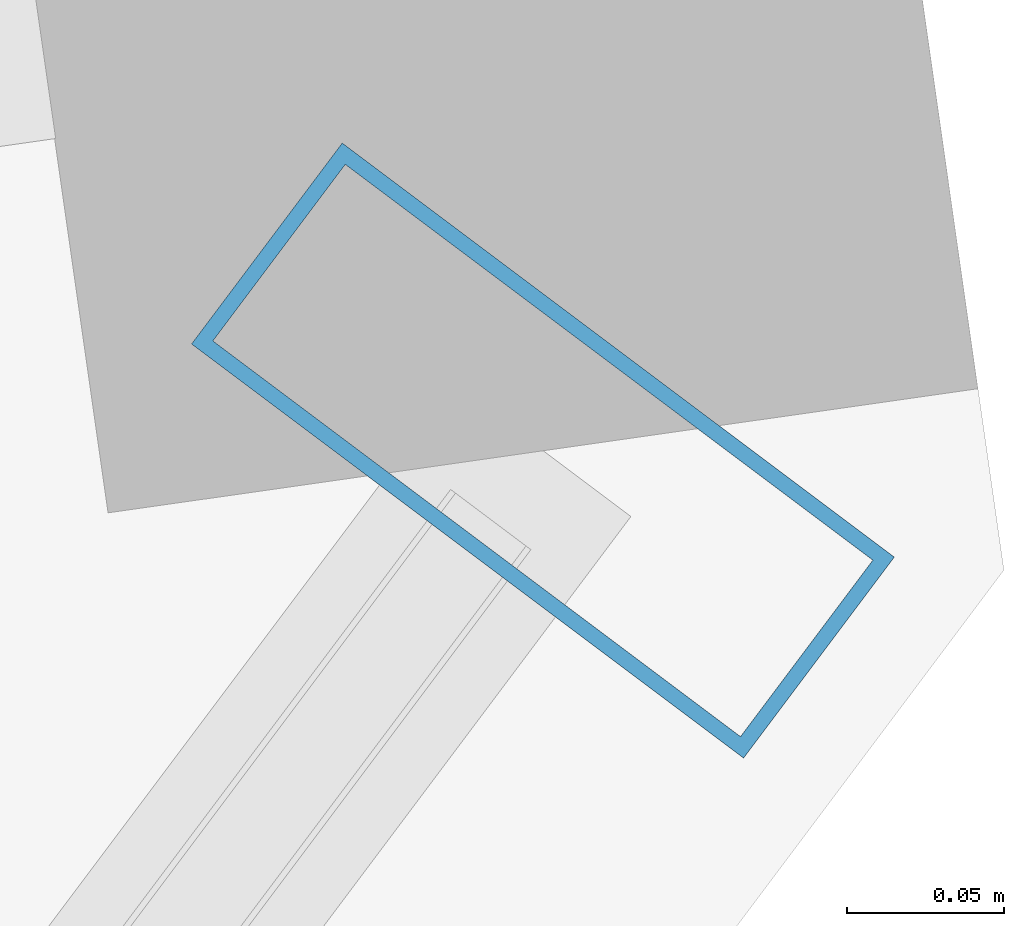
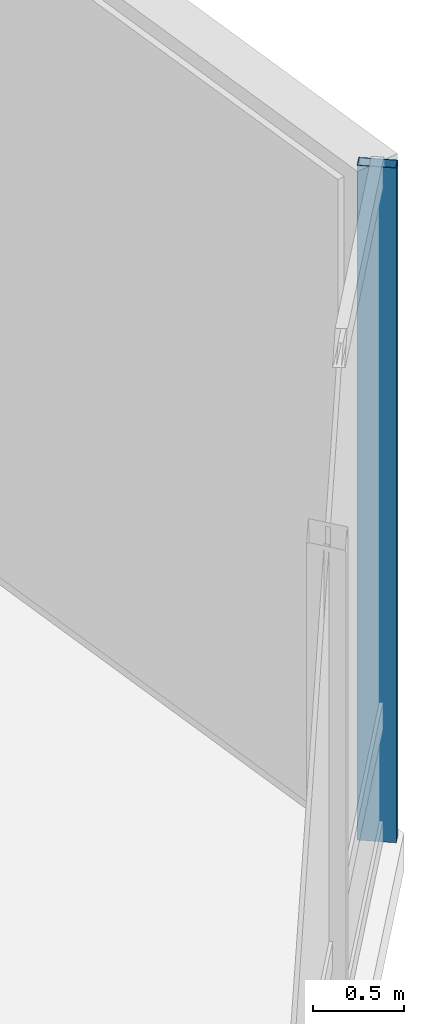
# One storey, part 12 of 21: 1 member, 1 element without a shape of its own.
"""IFC4 building model written with IfcOpenShell, lengths in metres."""

from ifc_helpers import new_model, si_unit, direction, frame, origin, origin_2d, place, context, subcontext, project, spatial, hollow_rectangle, extrude, material, layer, layer_set, material_profile, profile_set, type_object, element, aggregate, save


model = new_model("IFC4")

# Units and contexts
model_context = context("Model", 3, precision=1e-05, world=origin(), true_north=direction((0.0, 1.0)))
body_context = subcontext(model_context, "Body", "Model", "MODEL_VIEW")
ifc_project = project(units=[si_unit("LENGTHUNIT", "METRE"), si_unit("AREAUNIT", "SQUARE_METRE"), si_unit("VOLUMEUNIT", "CUBIC_METRE"), si_unit("PLANEANGLEUNIT", "RADIAN"), si_unit("MASSUNIT", "GRAM", prefix="KILO")], contexts=[model_context])

# Site, building, storey
site_placement = place(None, origin())
site = spatial("IfcSite", under=ifc_project, at=site_placement, CompositionType="ELEMENT")
building_placement = place(site_placement, origin())
building = spatial("IfcBuilding", under=site, at=building_placement, Name="Hatsunagi Terrace Concourse", CompositionType="ELEMENT")
storey_placement = place(building_placement, frame((0.0, 0.0, 186.75)))
storey = spatial("IfcBuildingStorey", under=building, at=storey_placement, Name="L49", CompositionType="ELEMENT", Elevation=186.75)

# Curtain wall, member
ifc_material_1 = material(Name="Anodised Aluminium Alloy 6063-T5", Category="aluminium")
ifc_layer = layer(ifc_material_1, 0.199951171875)
ifc_layer_set = layer_set([ifc_layer], Name="SkyLobbyAtrium_CW05")
curtain_wall_type = type_object("IfcCurtainWallType", Name="SkyLobbyAtrium_CW05", PredefinedType="NOTDEFINED", material=ifc_layer_set)
curtain_wall_placement = place(storey_placement, origin())
curtain_wall = element("IfcCurtainWall", 1, at=curtain_wall_placement, inside=storey, type_object=curtain_wall_type, Name="Unitised Curtain Wall CW-05 CW-L49-03", PredefinedType="NOTDEFINED")
ifc_material_2 = material(Name="Anodised Aluminium Alloy 6063-T5", Category="aluminium")
ifc_material_profile = material_profile(ifc_material_2, hollow_rectangle(XDim=0.080078125, YDim=0.219970703125, WallThickness=0.0048828125, at=origin_2d()), Name="ALU-MUL-220x80x5")
ifc_profile_set = profile_set([ifc_material_profile], Name="Anodised Aluminium Alloy 6063-T5")
member_type = type_object("IfcMemberType", Name="CurtainWallMullion_Heavy_220x80", PredefinedType="MULLION", material=ifc_profile_set)
member_placement = place(storey_placement, frame((60.693115234375, 25.9580078125, 0.0), z_axis=(0.0, 0.0, 1.0), x_axis=(-0.599969314634, -0.800023013105, 0.0)))
member = element("IfcMember", 2, at=member_placement, type_object=member_type, Name="Curtain Wall Mullion MUL-01", PredefinedType="MULLION", context=body_context, shape_type="SweptSolid", body=[
    extrude(hollow_rectangle(XDim=0.080078125, YDim=0.219970703125, WallThickness=0.0048828125, at=origin_2d()), origin(), (0.0, 0.0, 1.0), 4.550048828125),
])
aggregate(curtain_wall, [member])

save(model, "model.ifc")
